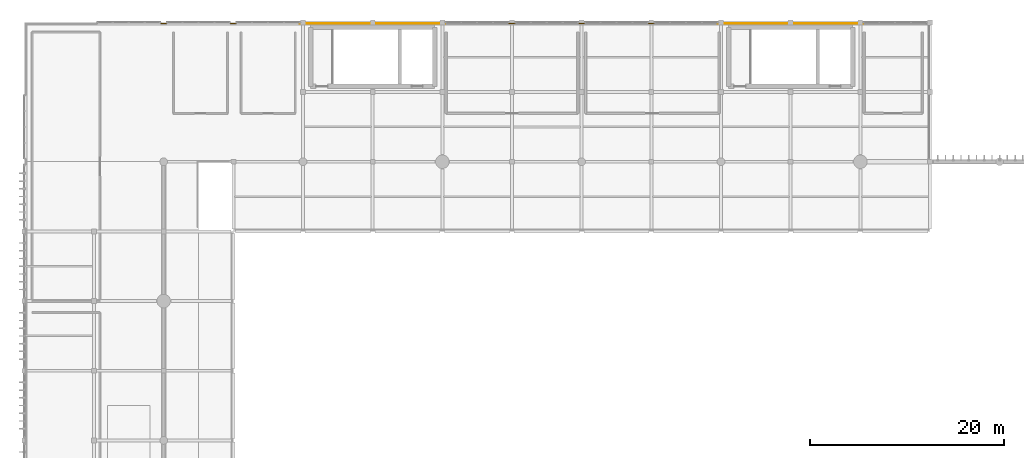
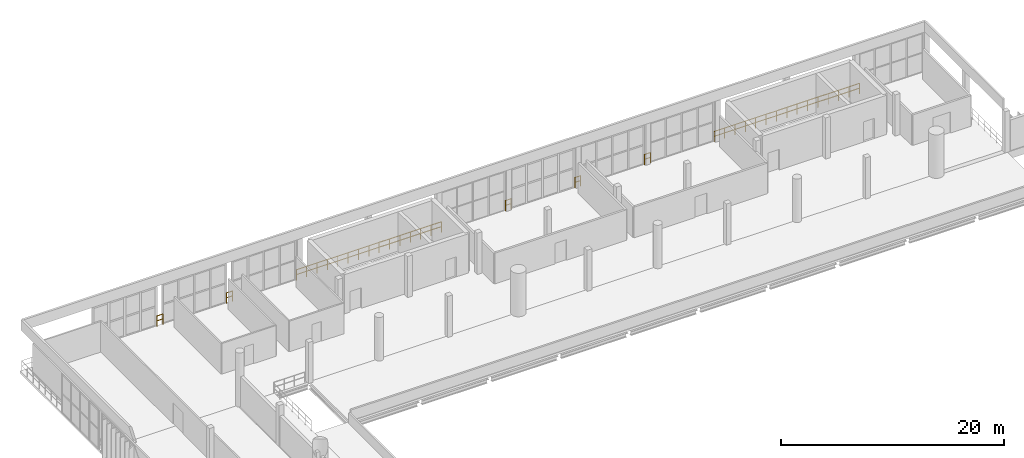
# One storey, part 64 of 64: 7 railings.
"""IFC4 building model written with IfcOpenShell, lengths in metres."""

from ifc_helpers import new_model, si_unit, direction, frame, origin, origin_2d, place, context, subcontext, project, spatial, circle, extrude, material, type_object, element, save


model = new_model("IFC4")

# Units and contexts
model_context = context("Model", 3, precision=1e-05, world=origin(), true_north=direction((0.0, 1.0)))
body_context = subcontext(model_context, "Body", "Model", "MODEL_VIEW")
ifc_project = project(units=[si_unit("LENGTHUNIT", "METRE"), si_unit("AREAUNIT", "SQUARE_METRE"), si_unit("VOLUMEUNIT", "CUBIC_METRE"), si_unit("PLANEANGLEUNIT", "RADIAN"), si_unit("MASSUNIT", "GRAM", prefix="KILO")], contexts=[model_context])

# Site, building, storey
site_placement = place(None, origin())
site = spatial("IfcSite", under=ifc_project, at=site_placement, CompositionType="ELEMENT")
building_placement = place(site_placement, origin())
building = spatial("IfcBuilding", under=site, at=building_placement, Name="Qandorah Velis Arena", CompositionType="ELEMENT")
storey_placement = place(building_placement, frame((0.0, 0.0, 23.0)))
storey = spatial("IfcBuildingStorey", under=building, at=storey_placement, Name="L05", CompositionType="ELEMENT", Elevation=23.0)

# Railings
ifc_material = material(Name="Stainless steel 316", Category="steel")
railing_type = type_object("IfcRailingType", Name="ARC-RL-GRD1150", PredefinedType="GUARDRAIL", material=ifc_material)
for number, where, name in (
    (1, (14.10009765625, 129.5, 0.0), "Slab edge safety guardrail L05-263"),
    (2, (21.300048828125, 129.5, 0.0), "Slab edge safety guardrail L05-264"),
):
    element("IfcRailing", number, at=place(storey_placement, frame(where)), inside=storey, type_object=railing_type, Name=name, PredefinedType="GUARDRAIL", context=body_context, shape_type="SweptSolid", body=[
        extrude(circle(Radius=0.02392578125, at=origin_2d()), frame((0.0, 0.0, 1.1259765625), z_axis=(1.0, 0.0, 0.0), x_axis=(0.0, 1.0, 0.0)), (0.0, 0.0, 1.0), 0.599853515625),
        extrude(circle(Radius=0.02392578125, at=origin_2d()), frame((0.0, 0.0, 0.597900390625), z_axis=(1.0, 0.0, 0.0), x_axis=(0.0, 1.0, 0.0)), (0.0, 0.0, 1.0), 0.599853515625),
        extrude(circle(Radius=0.02099609375, at=origin_2d()), origin(), (0.0, 0.0, 1.0), 1.101806640625),
        extrude(circle(Radius=0.02099609375, at=origin_2d()), frame((0.599853515625, 0.0, 0.0)), (0.0, 0.0, 1.0), 1.101806640625),
    ])
railing_1_placement = place(storey_placement, frame((28.5, 129.5, 0.0)))
element("IfcRailing", 3, at=railing_1_placement, inside=storey, type_object=railing_type, Name="Slab edge safety guardrail L05-265", PredefinedType="GUARDRAIL", context=body_context, shape_type="SweptSolid", body=[
    extrude(circle(Radius=0.02392578125, at=origin_2d()), frame((0.0, 0.0, 1.1259765625), z_axis=(1.0, 0.0, 0.0), x_axis=(0.0, 1.0, 0.0)), (0.0, 0.0, 1.0), 15.0),
    extrude(circle(Radius=0.02392578125, at=origin_2d()), frame((0.0, 0.0, 0.597900390625), z_axis=(1.0, 0.0, 0.0), x_axis=(0.0, 1.0, 0.0)), (0.0, 0.0, 1.0), 15.0),
    extrude(circle(Radius=0.02099609375, at=origin_2d()), origin(), (0.0, 0.0, 1.0), 1.101806640625),
    extrude(circle(Radius=0.02099609375, at=origin_2d()), frame((1.071533203125, 0.0, 0.0)), (0.0, 0.0, 1.0), 1.101806640625),
    extrude(circle(Radius=0.02099609375, at=origin_2d()), frame((2.142822265625, 0.0, 0.0)), (0.0, 0.0, 1.0), 1.101806640625),
    extrude(circle(Radius=0.02099609375, at=origin_2d()), frame((3.21435546875, 0.0, 0.0)), (0.0, 0.0, 1.0), 1.101806640625),
    extrude(circle(Radius=0.02099609375, at=origin_2d()), frame((4.28564453125, 0.0, 0.0)), (0.0, 0.0, 1.0), 1.101806640625),
    extrude(circle(Radius=0.02099609375, at=origin_2d()), frame((5.357177734375, 0.0, 0.0)), (0.0, 0.0, 1.0), 1.101806640625),
    extrude(circle(Radius=0.02099609375, at=origin_2d()), frame((6.428466796875, 0.0, 0.0)), (0.0, 0.0, 1.0), 1.101806640625),
    extrude(circle(Radius=0.02099609375, at=origin_2d()), frame((7.5, 0.0, 0.0)), (0.0, 0.0, 1.0), 1.101806640625),
    extrude(circle(Radius=0.02099609375, at=origin_2d()), frame((8.571533203125, 0.0, 0.0)), (0.0, 0.0, 1.0), 1.101806640625),
    extrude(circle(Radius=0.02099609375, at=origin_2d()), frame((9.642822265625, 0.0, 0.0)), (0.0, 0.0, 1.0), 1.101806640625),
    extrude(circle(Radius=0.02099609375, at=origin_2d()), frame((10.71435546875, 0.0, 0.0)), (0.0, 0.0, 1.0), 1.101806640625),
    extrude(circle(Radius=0.02099609375, at=origin_2d()), frame((11.78564453125, 0.0, 0.0)), (0.0, 0.0, 1.0), 1.101806640625),
    extrude(circle(Radius=0.02099609375, at=origin_2d()), frame((12.857177734375, 0.0, 0.0)), (0.0, 0.0, 1.0), 1.101806640625),
    extrude(circle(Radius=0.02099609375, at=origin_2d()), frame((13.928466796875, 0.0, 0.0)), (0.0, 0.0, 1.0), 1.101806640625),
    extrude(circle(Radius=0.02099609375, at=origin_2d()), frame((15.0, 0.0, 0.0)), (0.0, 0.0, 1.0), 1.101806640625),
])
for number, where, name in (
    (4, (50.10009765625, 129.5, 0.0), "Slab edge safety guardrail L05-266"),
    (5, (57.300048828125, 129.5, 0.0), "Slab edge safety guardrail L05-267"),
):
    element("IfcRailing", number, at=place(storey_placement, frame(where)), inside=storey, type_object=railing_type, Name=name, PredefinedType="GUARDRAIL", context=body_context, shape_type="SweptSolid", body=[
        extrude(circle(Radius=0.02392578125, at=origin_2d()), frame((0.0, 0.0, 1.1259765625), z_axis=(1.0, 0.0, 0.0), x_axis=(0.0, 1.0, 0.0)), (0.0, 0.0, 1.0), 0.599853515625),
        extrude(circle(Radius=0.02392578125, at=origin_2d()), frame((0.0, 0.0, 0.597900390625), z_axis=(1.0, 0.0, 0.0), x_axis=(0.0, 1.0, 0.0)), (0.0, 0.0, 1.0), 0.599853515625),
        extrude(circle(Radius=0.02099609375, at=origin_2d()), origin(), (0.0, 0.0, 1.0), 1.101806640625),
        extrude(circle(Radius=0.02099609375, at=origin_2d()), frame((0.599853515625, 0.0, 0.0)), (0.0, 0.0, 1.0), 1.101806640625),
    ])
railing_2_placement = place(storey_placement, frame((64.5, 129.5, 0.0)))
element("IfcRailing", 6, at=railing_2_placement, inside=storey, type_object=railing_type, Name="Slab edge safety guardrail L05-268", PredefinedType="GUARDRAIL", context=body_context, shape_type="SweptSolid", body=[
    extrude(circle(Radius=0.02392578125, at=origin_2d()), frame((0.0, 0.0, 1.1259765625), z_axis=(1.0, 0.0, 0.0), x_axis=(0.0, 1.0, 0.0)), (0.0, 0.0, 1.0), 0.60009765625),
    extrude(circle(Radius=0.02392578125, at=origin_2d()), frame((0.0, 0.0, 0.597900390625), z_axis=(1.0, 0.0, 0.0), x_axis=(0.0, 1.0, 0.0)), (0.0, 0.0, 1.0), 0.60009765625),
    extrude(circle(Radius=0.02099609375, at=origin_2d()), origin(), (0.0, 0.0, 1.0), 1.101806640625),
    extrude(circle(Radius=0.02099609375, at=origin_2d()), frame((0.60009765625, 0.0, 0.0)), (0.0, 0.0, 1.0), 1.101806640625),
])
railing_3_placement = place(storey_placement, frame((71.699951171875, 129.5, 0.0)))
element("IfcRailing", 7, at=railing_3_placement, inside=storey, type_object=railing_type, Name="Slab edge safety guardrail L05-269", PredefinedType="GUARDRAIL", context=body_context, shape_type="SweptSolid", body=[
    extrude(circle(Radius=0.02392578125, at=origin_2d()), frame((0.0, 0.0, 1.1259765625), z_axis=(1.0, 0.0, 0.0), x_axis=(0.0, 1.0, 0.0)), (0.0, 0.0, 1.0), 15.0),
    extrude(circle(Radius=0.02392578125, at=origin_2d()), frame((0.0, 0.0, 0.597900390625), z_axis=(1.0, 0.0, 0.0), x_axis=(0.0, 1.0, 0.0)), (0.0, 0.0, 1.0), 15.0),
    extrude(circle(Radius=0.02099609375, at=origin_2d()), origin(), (0.0, 0.0, 1.0), 1.101806640625),
    extrude(circle(Radius=0.02099609375, at=origin_2d()), frame((1.071533203125, 0.0, 0.0)), (0.0, 0.0, 1.0), 1.101806640625),
    extrude(circle(Radius=0.02099609375, at=origin_2d()), frame((2.142822265625, 0.0, 0.0)), (0.0, 0.0, 1.0), 1.101806640625),
    extrude(circle(Radius=0.02099609375, at=origin_2d()), frame((3.21435546875, 0.0, 0.0)), (0.0, 0.0, 1.0), 1.101806640625),
    extrude(circle(Radius=0.02099609375, at=origin_2d()), frame((4.28564453125, 0.0, 0.0)), (0.0, 0.0, 1.0), 1.101806640625),
    extrude(circle(Radius=0.02099609375, at=origin_2d()), frame((5.357177734375, 0.0, 0.0)), (0.0, 0.0, 1.0), 1.101806640625),
    extrude(circle(Radius=0.02099609375, at=origin_2d()), frame((6.428466796875, 0.0, 0.0)), (0.0, 0.0, 1.0), 1.101806640625),
    extrude(circle(Radius=0.02099609375, at=origin_2d()), frame((7.5, 0.0, 0.0)), (0.0, 0.0, 1.0), 1.101806640625),
    extrude(circle(Radius=0.02099609375, at=origin_2d()), frame((8.571533203125, 0.0, 0.0)), (0.0, 0.0, 1.0), 1.101806640625),
    extrude(circle(Radius=0.02099609375, at=origin_2d()), frame((9.642822265625, 0.0, 0.0)), (0.0, 0.0, 1.0), 1.101806640625),
    extrude(circle(Radius=0.02099609375, at=origin_2d()), frame((10.71435546875, 0.0, 0.0)), (0.0, 0.0, 1.0), 1.101806640625),
    extrude(circle(Radius=0.02099609375, at=origin_2d()), frame((11.78564453125, 0.0, 0.0)), (0.0, 0.0, 1.0), 1.101806640625),
    extrude(circle(Radius=0.02099609375, at=origin_2d()), frame((12.857177734375, 0.0, 0.0)), (0.0, 0.0, 1.0), 1.101806640625),
    extrude(circle(Radius=0.02099609375, at=origin_2d()), frame((13.928466796875, 0.0, 0.0)), (0.0, 0.0, 1.0), 1.101806640625),
    extrude(circle(Radius=0.02099609375, at=origin_2d()), frame((15.0, 0.0, 0.0)), (0.0, 0.0, 1.0), 1.101806640625),
])

save(model, "model.ifc")
